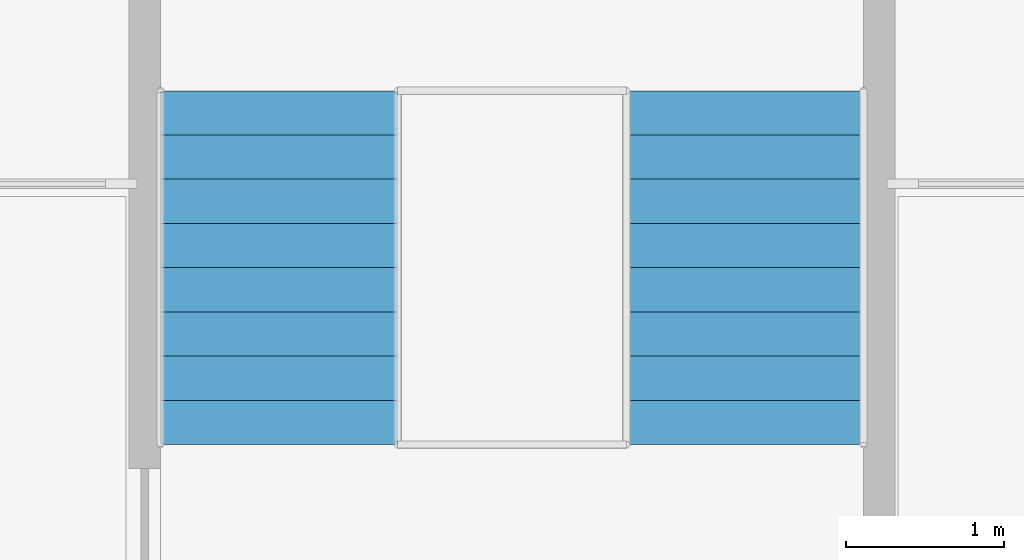
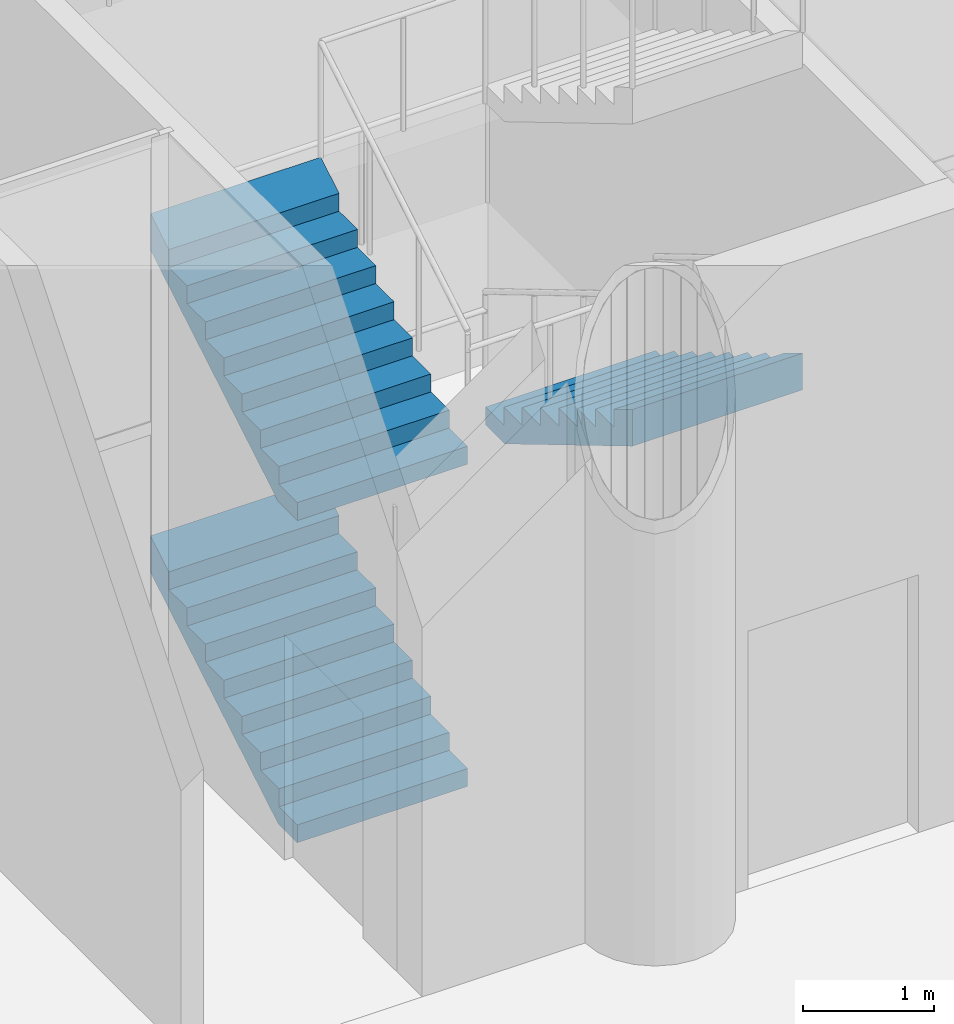
# One storey, part 17 of 32: 3 stair flights, 1 element without a shape of its own.
"""IFC4 building model written with IfcOpenShell, lengths in metres."""

from ifc_helpers import new_model, si_unit, direction, frame, origin, place, context, subcontext, project, spatial, triangles, material, type_object, element, aggregate, save


model = new_model("IFC4")

# Units and contexts
model_context = context("Model", 3, precision=1e-05, world=origin(), true_north=direction((0.0, 1.0)))
body_context = subcontext(model_context, "Body", "Model", "MODEL_VIEW")
ifc_project = project(units=[si_unit("LENGTHUNIT", "METRE"), si_unit("AREAUNIT", "SQUARE_METRE"), si_unit("VOLUMEUNIT", "CUBIC_METRE"), si_unit("PLANEANGLEUNIT", "RADIAN"), si_unit("MASSUNIT", "GRAM", prefix="KILO")], contexts=[model_context])

# Site, building, storey
site_placement = place(None, origin())
site = spatial("IfcSite", under=ifc_project, at=site_placement, CompositionType="ELEMENT")
building_placement = place(site_placement, origin())
building = spatial("IfcBuilding", under=site, at=building_placement, Name="Ludao Terraces", CompositionType="ELEMENT")
storey_placement = place(building_placement, origin())
storey = spatial("IfcBuildingStorey", under=building, at=storey_placement, Name="L00", CompositionType="ELEMENT", Elevation=0.0)

# Stair, stair flights
ifc_material = material(Name="Concrete C40", Category="concrete")
stair_type = type_object("IfcStairType", Name="INT Stair", PredefinedType="HALF_TURN_STAIR", material=ifc_material)
stair_placement = place(storey_placement, origin())
stair = element("IfcStair", 1, at=stair_placement, inside=storey, type_object=stair_type, Name="EXIT STAIR 4", PredefinedType="HALF_TURN_STAIR")
stair_flight_type = type_object("IfcStairFlightType", Name="INT Stair flight", PredefinedType="STRAIGHT", material=ifc_material)
stair_flight_1_placement = place(storey_placement, frame((60.5, 28.25, 0.0), z_axis=(0.0, 0.0, 1.0), x_axis=(0.0, 1.0, 0.0)))
stair_flight_1 = element("IfcStairFlight", 2, at=stair_flight_1_placement, type_object=stair_flight_type, Name="ST4 flight 1", NumberOfRisers=9, NumberOfTreads=8, PredefinedType="STRAIGHT", RiserHeight=0.166667, TreadLength=0.28, context=body_context, shape_type="Tessellation", body=[
    triangles([(0.0, -0.75, 0.0), (0.0, -0.5, 0.0), (0.0, -0.25, 0.0), (0.0, 0.0, 0.0), (0.0, 0.25, 0.0), (0.0, 0.5, 0.0), (0.0, 0.75, 0.0), (0.0, -0.75, 0.166748046875), (0.0, -0.5, 0.166748046875), (0.0, -0.25, 0.166748046875), (0.0, 0.0, 0.166748046875), (0.0, 0.25, 0.166748046875), (0.0, 0.5, 0.166748046875), (0.0, 0.75, 0.166748046875), (0.280029296875, -0.75, 0.166748046875), (0.280029296875, -0.5, 0.166748046875), (0.280029296875, -0.25, 0.166748046875), (0.280029296875, 0.0, 0.166748046875), (0.280029296875, 0.25, 0.166748046875), (0.280029296875, 0.5, 0.166748046875), (0.280029296875, 0.75, 0.166748046875), (0.280029296875, -0.75, 0.333251953125), (0.280029296875, -0.5, 0.333251953125), (0.280029296875, -0.25, 0.333251953125), (0.280029296875, 0.0, 0.333251953125), (0.280029296875, 0.25, 0.333251953125), (0.280029296875, 0.5, 0.333251953125), (0.280029296875, 0.75, 0.333251953125), (0.56005859375, -0.75, 0.333251953125), (0.56005859375, -0.5, 0.333251953125), (0.56005859375, -0.25, 0.333251953125), (0.56005859375, 0.0, 0.333251953125), (0.56005859375, 0.25, 0.333251953125), (0.56005859375, 0.5, 0.333251953125), (0.56005859375, 0.75, 0.333251953125), (0.56005859375, -0.75, 0.5), (0.56005859375, -0.5, 0.5), (0.56005859375, -0.25, 0.5), (0.56005859375, 0.0, 0.5), (0.56005859375, 0.25, 0.5), (0.56005859375, 0.5, 0.5), (0.56005859375, 0.75, 0.5), (0.840087890625, -0.75, 0.5), (0.840087890625, -0.5, 0.5), (0.840087890625, -0.25, 0.5), (0.840087890625, 0.0, 0.5), (0.840087890625, 0.25, 0.5), (0.840087890625, 0.5, 0.5), (0.840087890625, 0.75, 0.5), (0.840087890625, -0.75, 0.666748046875), (0.840087890625, -0.5, 0.666748046875), (0.840087890625, -0.25, 0.666748046875), (0.840087890625, 0.0, 0.666748046875), (0.840087890625, 0.25, 0.666748046875), (0.840087890625, 0.5, 0.666748046875), (0.840087890625, 0.75, 0.666748046875), (1.1201171875, -0.75, 0.666748046875), (1.1201171875, -0.5, 0.666748046875), (1.1201171875, -0.25, 0.666748046875), (1.1201171875, 0.0, 0.666748046875), (1.1201171875, 0.25, 0.666748046875), (1.1201171875, 0.5, 0.666748046875), (1.1201171875, 0.75, 0.666748046875), (1.1201171875, -0.75, 0.833251953125), (1.1201171875, -0.5, 0.833251953125), (1.1201171875, -0.25, 0.833251953125), (1.1201171875, 0.0, 0.833251953125), (1.1201171875, 0.25, 0.833251953125), (1.1201171875, 0.5, 0.833251953125), (1.1201171875, 0.75, 0.833251953125), (1.39990234375, -0.75, 0.833251953125), (1.39990234375, -0.5, 0.833251953125), (1.39990234375, -0.25, 0.833251953125), (1.39990234375, 0.0, 0.833251953125), (1.39990234375, 0.25, 0.833251953125), (1.39990234375, 0.5, 0.833251953125), (1.39990234375, 0.75, 0.833251953125), (1.39990234375, -0.75, 1.0), (1.39990234375, -0.5, 1.0), (1.39990234375, -0.25, 1.0), (1.39990234375, 0.0, 1.0), (1.39990234375, 0.25, 1.0), (1.39990234375, 0.5, 1.0), (1.39990234375, 0.75, 1.0), (1.679931640625, -0.75, 1.0), (1.679931640625, -0.5, 1.0), (1.679931640625, -0.25, 1.0), (1.679931640625, 0.0, 1.0), (1.679931640625, 0.25, 1.0), (1.679931640625, 0.5, 1.0), (1.679931640625, 0.75, 1.0), (1.679931640625, -0.75, 1.166748046875), (1.679931640625, -0.5, 1.166748046875), (1.679931640625, -0.25, 1.166748046875), (1.679931640625, 0.0, 1.166748046875), (1.679931640625, 0.25, 1.166748046875), (1.679931640625, 0.5, 1.166748046875), (1.679931640625, 0.75, 1.166748046875), (1.9599609375, -0.75, 1.166748046875), (1.9599609375, -0.5, 1.166748046875), (1.9599609375, -0.25, 1.166748046875), (1.9599609375, 0.0, 1.166748046875), (1.9599609375, 0.25, 1.166748046875), (1.9599609375, 0.5, 1.166748046875), (1.9599609375, 0.75, 1.166748046875), (1.9599609375, -0.75, 1.333251953125), (1.9599609375, -0.5, 1.333251953125), (1.9599609375, -0.25, 1.333251953125), (1.9599609375, 0.0, 1.333251953125), (1.9599609375, 0.25, 1.333251953125), (1.9599609375, 0.5, 1.333251953125), (1.9599609375, 0.75, 1.333251953125), (2.239990234375, -0.75, 1.5), (2.239990234375, -0.5, 1.5), (2.239990234375, -0.25, 1.5), (2.239990234375, 0.0, 1.5), (2.239990234375, 0.25, 1.5), (2.239990234375, 0.5, 1.5), (2.239990234375, 0.75, 1.5), (2.239990234375, -0.75, 1.158935546875), (2.239990234375, -0.5, 1.158935546875), (2.239990234375, -0.25, 1.158935546875), (2.239990234375, 0.0, 1.158935546875), (2.239990234375, 0.25, 1.158935546875), (2.239990234375, 0.5, 1.158935546875), (2.239990234375, 0.75, 1.158935546875), (0.29296875, -0.75, 0.0), (0.29296875, -0.5, 0.0), (0.29296875, -0.25, 0.0), (0.29296875, 0.0, 0.0), (0.29296875, 0.25, 0.0), (0.29296875, 0.5, 0.0), (0.29296875, 0.75, 0.0)], [[1, 127, 120], [7, 126, 133], [120, 113, 106], [126, 112, 119], [120, 106, 99], [126, 105, 112], [120, 99, 92], [126, 98, 105], [120, 92, 85], [126, 91, 98], [85, 78, 71], [91, 77, 84], [120, 85, 71], [126, 77, 91], [71, 64, 57], [77, 63, 70], [120, 71, 57], [126, 63, 77], [57, 50, 43], [63, 49, 56], [120, 57, 43], [126, 49, 63], [43, 36, 29], [49, 35, 42], [120, 43, 29], [126, 35, 49], [1, 120, 29], [7, 35, 126], [29, 22, 15], [35, 21, 28], [1, 29, 15], [7, 21, 35], [15, 8, 1], [21, 7, 14], [1, 9, 2], [1, 8, 9], [2, 10, 3], [2, 9, 10], [3, 11, 4], [3, 10, 11], [4, 12, 5], [4, 11, 12], [5, 13, 6], [5, 12, 13], [6, 14, 7], [6, 13, 14], [8, 16, 9], [8, 15, 16], [9, 17, 10], [9, 16, 17], [10, 18, 11], [10, 17, 18], [11, 19, 12], [11, 18, 19], [12, 20, 13], [12, 19, 20], [13, 21, 14], [13, 20, 21], [15, 23, 16], [15, 22, 23], [16, 24, 17], [16, 23, 24], [17, 25, 18], [17, 24, 25], [18, 26, 19], [18, 25, 26], [19, 27, 20], [19, 26, 27], [20, 28, 21], [20, 27, 28], [22, 30, 23], [22, 29, 30], [23, 31, 24], [23, 30, 31], [24, 32, 25], [24, 31, 32], [25, 33, 26], [25, 32, 33], [26, 34, 27], [26, 33, 34], [27, 35, 28], [27, 34, 35], [29, 37, 30], [29, 36, 37], [30, 38, 31], [30, 37, 38], [31, 39, 32], [31, 38, 39], [32, 40, 33], [32, 39, 40], [33, 41, 34], [33, 40, 41], [34, 42, 35], [34, 41, 42], [36, 44, 37], [36, 43, 44], [37, 45, 38], [37, 44, 45], [38, 46, 39], [38, 45, 46], [39, 47, 40], [39, 46, 47], [40, 48, 41], [40, 47, 48], [41, 49, 42], [41, 48, 49], [43, 51, 44], [43, 50, 51], [44, 52, 45], [44, 51, 52], [45, 53, 46], [45, 52, 53], [46, 54, 47], [46, 53, 54], [47, 55, 48], [47, 54, 55], [48, 56, 49], [48, 55, 56], [50, 58, 51], [50, 57, 58], [51, 59, 52], [51, 58, 59], [52, 60, 53], [52, 59, 60], [53, 61, 54], [53, 60, 61], [54, 62, 55], [54, 61, 62], [55, 63, 56], [55, 62, 63], [57, 65, 58], [57, 64, 65], [58, 66, 59], [58, 65, 66], [59, 67, 60], [59, 66, 67], [60, 68, 61], [60, 67, 68], [61, 69, 62], [61, 68, 69], [62, 70, 63], [62, 69, 70], [64, 72, 65], [64, 71, 72], [65, 73, 66], [65, 72, 73], [66, 74, 67], [66, 73, 74], [67, 75, 68], [67, 74, 75], [68, 76, 69], [68, 75, 76], [69, 77, 70], [69, 76, 77], [71, 79, 72], [71, 78, 79], [72, 80, 73], [72, 79, 80], [73, 81, 74], [73, 80, 81], [74, 82, 75], [74, 81, 82], [75, 83, 76], [75, 82, 83], [76, 84, 77], [76, 83, 84], [78, 86, 79], [78, 85, 86], [79, 87, 80], [79, 86, 87], [80, 88, 81], [80, 87, 88], [81, 89, 82], [81, 88, 89], [82, 90, 83], [82, 89, 90], [83, 91, 84], [83, 90, 91], [85, 93, 86], [85, 92, 93], [86, 94, 87], [86, 93, 94], [87, 95, 88], [87, 94, 95], [88, 96, 89], [88, 95, 96], [89, 97, 90], [89, 96, 97], [90, 98, 91], [90, 97, 98], [92, 100, 93], [92, 99, 100], [93, 101, 94], [93, 100, 101], [94, 102, 95], [94, 101, 102], [95, 103, 96], [95, 102, 103], [96, 104, 97], [96, 103, 104], [97, 105, 98], [97, 104, 105], [99, 107, 100], [99, 106, 107], [100, 108, 101], [100, 107, 108], [101, 109, 102], [101, 108, 109], [102, 110, 103], [102, 109, 110], [103, 111, 104], [103, 110, 111], [104, 112, 105], [104, 111, 112], [106, 114, 107], [106, 113, 114], [107, 115, 108], [107, 114, 115], [108, 116, 109], [108, 115, 116], [109, 117, 110], [109, 116, 117], [110, 118, 111], [110, 117, 118], [111, 119, 112], [111, 118, 119], [113, 121, 114], [113, 120, 121], [114, 122, 115], [114, 121, 122], [115, 123, 116], [115, 122, 123], [116, 124, 117], [116, 123, 124], [117, 125, 118], [117, 124, 125], [118, 126, 119], [118, 125, 126], [120, 128, 121], [120, 127, 128], [121, 129, 122], [121, 128, 129], [122, 130, 123], [122, 129, 130], [123, 131, 124], [123, 130, 131], [124, 132, 125], [124, 131, 132], [125, 133, 126], [125, 132, 133], [127, 2, 128], [127, 1, 2], [128, 3, 129], [128, 2, 3], [129, 4, 130], [129, 3, 4], [130, 5, 131], [130, 4, 5], [131, 6, 132], [131, 5, 6], [132, 7, 133], [132, 6, 7]], closed=True),
])
stair_flight_2_placement = place(storey_placement, frame((63.449951171875, 30.489990234375, 1.5), z_axis=(0.0, 0.0, 1.0), x_axis=(0.0, -1.0, 0.0)))
stair_flight_2 = element("IfcStairFlight", 3, at=stair_flight_2_placement, type_object=stair_flight_type, Name="ST4 flight 2", NumberOfRisers=9, NumberOfTreads=8, PredefinedType="STRAIGHT", RiserHeight=0.166667, TreadLength=0.28, context=body_context, shape_type="Tessellation", body=[
    triangles([(0.0, -0.75, 0.0), (0.0, -0.5, 0.0), (0.0, -0.25, 0.0), (0.0, 0.0, 0.0), (0.0, 0.25, 0.0), (0.0, 0.5, 0.0), (0.0, 0.75, 0.0), (0.0, -0.75, 0.166748046875), (0.0, -0.5, 0.166748046875), (0.0, -0.25, 0.166748046875), (0.0, 0.0, 0.166748046875), (0.0, 0.25, 0.166748046875), (0.0, 0.5, 0.166748046875), (0.0, 0.75, 0.166748046875), (0.280029296875, -0.75, 0.166748046875), (0.280029296875, -0.5, 0.166748046875), (0.280029296875, -0.25, 0.166748046875), (0.280029296875, 0.0, 0.166748046875), (0.280029296875, 0.25, 0.166748046875), (0.280029296875, 0.5, 0.166748046875), (0.280029296875, 0.75, 0.166748046875), (0.280029296875, -0.75, 0.333251953125), (0.280029296875, -0.5, 0.333251953125), (0.280029296875, -0.25, 0.333251953125), (0.280029296875, 0.0, 0.333251953125), (0.280029296875, 0.25, 0.333251953125), (0.280029296875, 0.5, 0.333251953125), (0.280029296875, 0.75, 0.333251953125), (0.56005859375, -0.75, 0.333251953125), (0.56005859375, -0.5, 0.333251953125), (0.56005859375, -0.25, 0.333251953125), (0.56005859375, 0.0, 0.333251953125), (0.56005859375, 0.25, 0.333251953125), (0.56005859375, 0.5, 0.333251953125), (0.56005859375, 0.75, 0.333251953125), (0.56005859375, -0.75, 0.5), (0.56005859375, -0.5, 0.5), (0.56005859375, -0.25, 0.5), (0.56005859375, 0.0, 0.5), (0.56005859375, 0.25, 0.5), (0.56005859375, 0.5, 0.5), (0.56005859375, 0.75, 0.5), (0.840087890625, -0.75, 0.5), (0.840087890625, -0.5, 0.5), (0.840087890625, -0.25, 0.5), (0.840087890625, 0.0, 0.5), (0.840087890625, 0.25, 0.5), (0.840087890625, 0.5, 0.5), (0.840087890625, 0.75, 0.5), (0.840087890625, -0.75, 0.666748046875), (0.840087890625, -0.5, 0.666748046875), (0.840087890625, -0.25, 0.666748046875), (0.840087890625, 0.0, 0.666748046875), (0.840087890625, 0.25, 0.666748046875), (0.840087890625, 0.5, 0.666748046875), (0.840087890625, 0.75, 0.666748046875), (1.1201171875, -0.75, 0.666748046875), (1.1201171875, -0.5, 0.666748046875), (1.1201171875, -0.25, 0.666748046875), (1.1201171875, 0.0, 0.666748046875), (1.1201171875, 0.25, 0.666748046875), (1.1201171875, 0.5, 0.666748046875), (1.1201171875, 0.75, 0.666748046875), (1.1201171875, -0.75, 0.833251953125), (1.1201171875, -0.5, 0.833251953125), (1.1201171875, -0.25, 0.833251953125), (1.1201171875, 0.0, 0.833251953125), (1.1201171875, 0.25, 0.833251953125), (1.1201171875, 0.5, 0.833251953125), (1.1201171875, 0.75, 0.833251953125), (1.39990234375, -0.75, 0.833251953125), (1.39990234375, -0.5, 0.833251953125), (1.39990234375, -0.25, 0.833251953125), (1.39990234375, 0.0, 0.833251953125), (1.39990234375, 0.25, 0.833251953125), (1.39990234375, 0.5, 0.833251953125), (1.39990234375, 0.75, 0.833251953125), (1.39990234375, -0.75, 1.0), (1.39990234375, -0.5, 1.0), (1.39990234375, -0.25, 1.0), (1.39990234375, 0.0, 1.0), (1.39990234375, 0.25, 1.0), (1.39990234375, 0.5, 1.0), (1.39990234375, 0.75, 1.0), (1.679931640625, -0.75, 1.0), (1.679931640625, -0.5, 1.0), (1.679931640625, -0.25, 1.0), (1.679931640625, 0.0, 1.0), (1.679931640625, 0.25, 1.0), (1.679931640625, 0.5, 1.0), (1.679931640625, 0.75, 1.0), (1.679931640625, -0.75, 1.166748046875), (1.679931640625, -0.5, 1.166748046875), (1.679931640625, -0.25, 1.166748046875), (1.679931640625, 0.0, 1.166748046875), (1.679931640625, 0.25, 1.166748046875), (1.679931640625, 0.5, 1.166748046875), (1.679931640625, 0.75, 1.166748046875), (1.9599609375, -0.75, 1.166748046875), (1.9599609375, -0.5, 1.166748046875), (1.9599609375, -0.25, 1.166748046875), (1.9599609375, 0.0, 1.166748046875), (1.9599609375, 0.25, 1.166748046875), (1.9599609375, 0.5, 1.166748046875), (1.9599609375, 0.75, 1.166748046875), (1.9599609375, -0.75, 1.333251953125), (1.9599609375, -0.5, 1.333251953125), (1.9599609375, -0.25, 1.333251953125), (1.9599609375, 0.0, 1.333251953125), (1.9599609375, 0.25, 1.333251953125), (1.9599609375, 0.5, 1.333251953125), (1.9599609375, 0.75, 1.333251953125), (2.239990234375, -0.75, 1.5), (2.239990234375, -0.5, 1.5), (2.239990234375, -0.25, 1.5), (2.239990234375, 0.0, 1.5), (2.239990234375, 0.25, 1.5), (2.239990234375, 0.5, 1.5), (2.239990234375, 0.75, 1.5), (2.239990234375, -0.75, 1.158935546875), (2.239990234375, -0.5, 1.158935546875), (2.239990234375, -0.25, 1.158935546875), (2.239990234375, 0.0, 1.158935546875), (2.239990234375, 0.25, 1.158935546875), (2.239990234375, 0.5, 1.158935546875), (2.239990234375, 0.75, 1.158935546875), (0.29296875, -0.75, 0.0), (0.29296875, -0.5, 0.0), (0.29296875, -0.25, 0.0), (0.29296875, 0.0, 0.0), (0.29296875, 0.25, 0.0), (0.29296875, 0.5, 0.0), (0.29296875, 0.75, 0.0)], [[1, 127, 120], [7, 126, 133], [120, 113, 106], [126, 112, 119], [120, 106, 99], [126, 105, 112], [120, 99, 92], [126, 98, 105], [120, 92, 85], [126, 91, 98], [85, 78, 71], [91, 77, 84], [120, 85, 71], [126, 77, 91], [71, 64, 57], [77, 63, 70], [120, 71, 57], [126, 63, 77], [57, 50, 43], [63, 49, 56], [120, 57, 43], [126, 49, 63], [43, 36, 29], [49, 35, 42], [120, 43, 29], [126, 35, 49], [1, 120, 29], [7, 35, 126], [29, 22, 15], [35, 21, 28], [1, 29, 15], [7, 21, 35], [15, 8, 1], [21, 7, 14], [1, 9, 2], [1, 8, 9], [2, 10, 3], [2, 9, 10], [3, 11, 4], [3, 10, 11], [4, 12, 5], [4, 11, 12], [5, 13, 6], [5, 12, 13], [6, 14, 7], [6, 13, 14], [8, 16, 9], [8, 15, 16], [9, 17, 10], [9, 16, 17], [10, 18, 11], [10, 17, 18], [11, 19, 12], [11, 18, 19], [12, 20, 13], [12, 19, 20], [13, 21, 14], [13, 20, 21], [15, 23, 16], [15, 22, 23], [16, 24, 17], [16, 23, 24], [17, 25, 18], [17, 24, 25], [18, 26, 19], [18, 25, 26], [19, 27, 20], [19, 26, 27], [20, 28, 21], [20, 27, 28], [22, 30, 23], [22, 29, 30], [23, 31, 24], [23, 30, 31], [24, 32, 25], [24, 31, 32], [25, 33, 26], [25, 32, 33], [26, 34, 27], [26, 33, 34], [27, 35, 28], [27, 34, 35], [29, 37, 30], [29, 36, 37], [30, 38, 31], [30, 37, 38], [31, 39, 32], [31, 38, 39], [32, 40, 33], [32, 39, 40], [33, 41, 34], [33, 40, 41], [34, 42, 35], [34, 41, 42], [36, 44, 37], [36, 43, 44], [37, 45, 38], [37, 44, 45], [38, 46, 39], [38, 45, 46], [39, 47, 40], [39, 46, 47], [40, 48, 41], [40, 47, 48], [41, 49, 42], [41, 48, 49], [43, 51, 44], [43, 50, 51], [44, 52, 45], [44, 51, 52], [45, 53, 46], [45, 52, 53], [46, 54, 47], [46, 53, 54], [47, 55, 48], [47, 54, 55], [48, 56, 49], [48, 55, 56], [50, 58, 51], [50, 57, 58], [51, 59, 52], [51, 58, 59], [52, 60, 53], [52, 59, 60], [53, 61, 54], [53, 60, 61], [54, 62, 55], [54, 61, 62], [55, 63, 56], [55, 62, 63], [57, 65, 58], [57, 64, 65], [58, 66, 59], [58, 65, 66], [59, 67, 60], [59, 66, 67], [60, 68, 61], [60, 67, 68], [61, 69, 62], [61, 68, 69], [62, 70, 63], [62, 69, 70], [64, 72, 65], [64, 71, 72], [65, 73, 66], [65, 72, 73], [66, 74, 67], [66, 73, 74], [67, 75, 68], [67, 74, 75], [68, 76, 69], [68, 75, 76], [69, 77, 70], [69, 76, 77], [71, 79, 72], [71, 78, 79], [72, 80, 73], [72, 79, 80], [73, 81, 74], [73, 80, 81], [74, 82, 75], [74, 81, 82], [75, 83, 76], [75, 82, 83], [76, 84, 77], [76, 83, 84], [78, 86, 79], [78, 85, 86], [79, 87, 80], [79, 86, 87], [80, 88, 81], [80, 87, 88], [81, 89, 82], [81, 88, 89], [82, 90, 83], [82, 89, 90], [83, 91, 84], [83, 90, 91], [85, 93, 86], [85, 92, 93], [86, 94, 87], [86, 93, 94], [87, 95, 88], [87, 94, 95], [88, 96, 89], [88, 95, 96], [89, 97, 90], [89, 96, 97], [90, 98, 91], [90, 97, 98], [92, 100, 93], [92, 99, 100], [93, 101, 94], [93, 100, 101], [94, 102, 95], [94, 101, 102], [95, 103, 96], [95, 102, 103], [96, 104, 97], [96, 103, 104], [97, 105, 98], [97, 104, 105], [99, 107, 100], [99, 106, 107], [100, 108, 101], [100, 107, 108], [101, 109, 102], [101, 108, 109], [102, 110, 103], [102, 109, 110], [103, 111, 104], [103, 110, 111], [104, 112, 105], [104, 111, 112], [106, 114, 107], [106, 113, 114], [107, 115, 108], [107, 114, 115], [108, 116, 109], [108, 115, 116], [109, 117, 110], [109, 116, 117], [110, 118, 111], [110, 117, 118], [111, 119, 112], [111, 118, 119], [113, 121, 114], [113, 120, 121], [114, 122, 115], [114, 121, 122], [115, 123, 116], [115, 122, 123], [116, 124, 117], [116, 123, 124], [117, 125, 118], [117, 124, 125], [118, 126, 119], [118, 125, 126], [120, 128, 121], [120, 127, 128], [121, 129, 122], [121, 128, 129], [122, 130, 123], [122, 129, 130], [123, 131, 124], [123, 130, 131], [124, 132, 125], [124, 131, 132], [125, 133, 126], [125, 132, 133], [127, 2, 128], [127, 1, 2], [128, 3, 129], [128, 2, 3], [129, 4, 130], [129, 3, 4], [130, 5, 131], [130, 4, 5], [131, 6, 132], [131, 5, 6], [132, 7, 133], [132, 6, 7]], closed=True),
])
stair_flight_3_placement = place(storey_placement, frame((60.5, 28.25, 3.0), z_axis=(0.0, 0.0, 1.0), x_axis=(0.0, 1.0, 0.0)))
stair_flight_3 = element("IfcStairFlight", 4, at=stair_flight_3_placement, type_object=stair_flight_type, Name="ST4 flight 3", NumberOfRisers=9, NumberOfTreads=8, PredefinedType="STRAIGHT", RiserHeight=0.166667, TreadLength=0.28, context=body_context, shape_type="Tessellation", body=[
    triangles([(0.0, -0.75, 0.0), (0.0, -0.5, 0.0), (0.0, -0.25, 0.0), (0.0, 0.0, 0.0), (0.0, 0.25, 0.0), (0.0, 0.5, 0.0), (0.0, 0.75, 0.0), (0.0, -0.75, 0.166748046875), (0.0, -0.5, 0.166748046875), (0.0, -0.25, 0.166748046875), (0.0, 0.0, 0.166748046875), (0.0, 0.25, 0.166748046875), (0.0, 0.5, 0.166748046875), (0.0, 0.75, 0.166748046875), (0.280029296875, -0.75, 0.166748046875), (0.280029296875, -0.5, 0.166748046875), (0.280029296875, -0.25, 0.166748046875), (0.280029296875, 0.0, 0.166748046875), (0.280029296875, 0.25, 0.166748046875), (0.280029296875, 0.5, 0.166748046875), (0.280029296875, 0.75, 0.166748046875), (0.280029296875, -0.75, 0.333251953125), (0.280029296875, -0.5, 0.333251953125), (0.280029296875, -0.25, 0.333251953125), (0.280029296875, 0.0, 0.333251953125), (0.280029296875, 0.25, 0.333251953125), (0.280029296875, 0.5, 0.333251953125), (0.280029296875, 0.75, 0.333251953125), (0.56005859375, -0.75, 0.333251953125), (0.56005859375, -0.5, 0.333251953125), (0.56005859375, -0.25, 0.333251953125), (0.56005859375, 0.0, 0.333251953125), (0.56005859375, 0.25, 0.333251953125), (0.56005859375, 0.5, 0.333251953125), (0.56005859375, 0.75, 0.333251953125), (0.56005859375, -0.75, 0.5), (0.56005859375, -0.5, 0.5), (0.56005859375, -0.25, 0.5), (0.56005859375, 0.0, 0.5), (0.56005859375, 0.25, 0.5), (0.56005859375, 0.5, 0.5), (0.56005859375, 0.75, 0.5), (0.840087890625, -0.75, 0.5), (0.840087890625, -0.5, 0.5), (0.840087890625, -0.25, 0.5), (0.840087890625, 0.0, 0.5), (0.840087890625, 0.25, 0.5), (0.840087890625, 0.5, 0.5), (0.840087890625, 0.75, 0.5), (0.840087890625, -0.75, 0.666748046875), (0.840087890625, -0.5, 0.666748046875), (0.840087890625, -0.25, 0.666748046875), (0.840087890625, 0.0, 0.666748046875), (0.840087890625, 0.25, 0.666748046875), (0.840087890625, 0.5, 0.666748046875), (0.840087890625, 0.75, 0.666748046875), (1.1201171875, -0.75, 0.666748046875), (1.1201171875, -0.5, 0.666748046875), (1.1201171875, -0.25, 0.666748046875), (1.1201171875, 0.0, 0.666748046875), (1.1201171875, 0.25, 0.666748046875), (1.1201171875, 0.5, 0.666748046875), (1.1201171875, 0.75, 0.666748046875), (1.1201171875, -0.75, 0.833251953125), (1.1201171875, -0.5, 0.833251953125), (1.1201171875, -0.25, 0.833251953125), (1.1201171875, 0.0, 0.833251953125), (1.1201171875, 0.25, 0.833251953125), (1.1201171875, 0.5, 0.833251953125), (1.1201171875, 0.75, 0.833251953125), (1.39990234375, -0.75, 0.833251953125), (1.39990234375, -0.5, 0.833251953125), (1.39990234375, -0.25, 0.833251953125), (1.39990234375, 0.0, 0.833251953125), (1.39990234375, 0.25, 0.833251953125), (1.39990234375, 0.5, 0.833251953125), (1.39990234375, 0.75, 0.833251953125), (1.39990234375, -0.75, 1.0), (1.39990234375, -0.5, 1.0), (1.39990234375, -0.25, 1.0), (1.39990234375, 0.0, 1.0), (1.39990234375, 0.25, 1.0), (1.39990234375, 0.5, 1.0), (1.39990234375, 0.75, 1.0), (1.679931640625, -0.75, 1.0), (1.679931640625, -0.5, 1.0), (1.679931640625, -0.25, 1.0), (1.679931640625, 0.0, 1.0), (1.679931640625, 0.25, 1.0), (1.679931640625, 0.5, 1.0), (1.679931640625, 0.75, 1.0), (1.679931640625, -0.75, 1.166748046875), (1.679931640625, -0.5, 1.166748046875), (1.679931640625, -0.25, 1.166748046875), (1.679931640625, 0.0, 1.166748046875), (1.679931640625, 0.25, 1.166748046875), (1.679931640625, 0.5, 1.166748046875), (1.679931640625, 0.75, 1.166748046875), (1.9599609375, -0.75, 1.166748046875), (1.9599609375, -0.5, 1.166748046875), (1.9599609375, -0.25, 1.166748046875), (1.9599609375, 0.0, 1.166748046875), (1.9599609375, 0.25, 1.166748046875), (1.9599609375, 0.5, 1.166748046875), (1.9599609375, 0.75, 1.166748046875), (1.9599609375, -0.75, 1.333251953125), (1.9599609375, -0.5, 1.333251953125), (1.9599609375, -0.25, 1.333251953125), (1.9599609375, 0.0, 1.333251953125), (1.9599609375, 0.25, 1.333251953125), (1.9599609375, 0.5, 1.333251953125), (1.9599609375, 0.75, 1.333251953125), (2.239990234375, -0.75, 1.5), (2.239990234375, -0.5, 1.5), (2.239990234375, -0.25, 1.5), (2.239990234375, 0.0, 1.5), (2.239990234375, 0.25, 1.5), (2.239990234375, 0.5, 1.5), (2.239990234375, 0.75, 1.5), (2.239990234375, -0.75, 1.158935546875), (2.239990234375, -0.5, 1.158935546875), (2.239990234375, -0.25, 1.158935546875), (2.239990234375, 0.0, 1.158935546875), (2.239990234375, 0.25, 1.158935546875), (2.239990234375, 0.5, 1.158935546875), (2.239990234375, 0.75, 1.158935546875), (0.29296875, -0.75, 0.0), (0.29296875, -0.5, 0.0), (0.29296875, -0.25, 0.0), (0.29296875, 0.0, 0.0), (0.29296875, 0.25, 0.0), (0.29296875, 0.5, 0.0), (0.29296875, 0.75, 0.0)], [[1, 127, 120], [7, 126, 133], [120, 113, 106], [126, 112, 119], [120, 106, 99], [126, 105, 112], [120, 99, 92], [126, 98, 105], [120, 92, 85], [126, 91, 98], [85, 78, 71], [91, 77, 84], [120, 85, 71], [126, 77, 91], [71, 64, 57], [77, 63, 70], [120, 71, 57], [126, 63, 77], [57, 50, 43], [63, 49, 56], [120, 57, 43], [126, 49, 63], [43, 36, 29], [49, 35, 42], [120, 43, 29], [126, 35, 49], [1, 120, 29], [7, 35, 126], [29, 22, 15], [35, 21, 28], [1, 29, 15], [7, 21, 35], [15, 8, 1], [21, 7, 14], [1, 9, 2], [1, 8, 9], [2, 10, 3], [2, 9, 10], [3, 11, 4], [3, 10, 11], [4, 12, 5], [4, 11, 12], [5, 13, 6], [5, 12, 13], [6, 14, 7], [6, 13, 14], [8, 16, 9], [8, 15, 16], [9, 17, 10], [9, 16, 17], [10, 18, 11], [10, 17, 18], [11, 19, 12], [11, 18, 19], [12, 20, 13], [12, 19, 20], [13, 21, 14], [13, 20, 21], [15, 23, 16], [15, 22, 23], [16, 24, 17], [16, 23, 24], [17, 25, 18], [17, 24, 25], [18, 26, 19], [18, 25, 26], [19, 27, 20], [19, 26, 27], [20, 28, 21], [20, 27, 28], [22, 30, 23], [22, 29, 30], [23, 31, 24], [23, 30, 31], [24, 32, 25], [24, 31, 32], [25, 33, 26], [25, 32, 33], [26, 34, 27], [26, 33, 34], [27, 35, 28], [27, 34, 35], [29, 37, 30], [29, 36, 37], [30, 38, 31], [30, 37, 38], [31, 39, 32], [31, 38, 39], [32, 40, 33], [32, 39, 40], [33, 41, 34], [33, 40, 41], [34, 42, 35], [34, 41, 42], [36, 44, 37], [36, 43, 44], [37, 45, 38], [37, 44, 45], [38, 46, 39], [38, 45, 46], [39, 47, 40], [39, 46, 47], [40, 48, 41], [40, 47, 48], [41, 49, 42], [41, 48, 49], [43, 51, 44], [43, 50, 51], [44, 52, 45], [44, 51, 52], [45, 53, 46], [45, 52, 53], [46, 54, 47], [46, 53, 54], [47, 55, 48], [47, 54, 55], [48, 56, 49], [48, 55, 56], [50, 58, 51], [50, 57, 58], [51, 59, 52], [51, 58, 59], [52, 60, 53], [52, 59, 60], [53, 61, 54], [53, 60, 61], [54, 62, 55], [54, 61, 62], [55, 63, 56], [55, 62, 63], [57, 65, 58], [57, 64, 65], [58, 66, 59], [58, 65, 66], [59, 67, 60], [59, 66, 67], [60, 68, 61], [60, 67, 68], [61, 69, 62], [61, 68, 69], [62, 70, 63], [62, 69, 70], [64, 72, 65], [64, 71, 72], [65, 73, 66], [65, 72, 73], [66, 74, 67], [66, 73, 74], [67, 75, 68], [67, 74, 75], [68, 76, 69], [68, 75, 76], [69, 77, 70], [69, 76, 77], [71, 79, 72], [71, 78, 79], [72, 80, 73], [72, 79, 80], [73, 81, 74], [73, 80, 81], [74, 82, 75], [74, 81, 82], [75, 83, 76], [75, 82, 83], [76, 84, 77], [76, 83, 84], [78, 86, 79], [78, 85, 86], [79, 87, 80], [79, 86, 87], [80, 88, 81], [80, 87, 88], [81, 89, 82], [81, 88, 89], [82, 90, 83], [82, 89, 90], [83, 91, 84], [83, 90, 91], [85, 93, 86], [85, 92, 93], [86, 94, 87], [86, 93, 94], [87, 95, 88], [87, 94, 95], [88, 96, 89], [88, 95, 96], [89, 97, 90], [89, 96, 97], [90, 98, 91], [90, 97, 98], [92, 100, 93], [92, 99, 100], [93, 101, 94], [93, 100, 101], [94, 102, 95], [94, 101, 102], [95, 103, 96], [95, 102, 103], [96, 104, 97], [96, 103, 104], [97, 105, 98], [97, 104, 105], [99, 107, 100], [99, 106, 107], [100, 108, 101], [100, 107, 108], [101, 109, 102], [101, 108, 109], [102, 110, 103], [102, 109, 110], [103, 111, 104], [103, 110, 111], [104, 112, 105], [104, 111, 112], [106, 114, 107], [106, 113, 114], [107, 115, 108], [107, 114, 115], [108, 116, 109], [108, 115, 116], [109, 117, 110], [109, 116, 117], [110, 118, 111], [110, 117, 118], [111, 119, 112], [111, 118, 119], [113, 121, 114], [113, 120, 121], [114, 122, 115], [114, 121, 122], [115, 123, 116], [115, 122, 123], [116, 124, 117], [116, 123, 124], [117, 125, 118], [117, 124, 125], [118, 126, 119], [118, 125, 126], [120, 128, 121], [120, 127, 128], [121, 129, 122], [121, 128, 129], [122, 130, 123], [122, 129, 130], [123, 131, 124], [123, 130, 131], [124, 132, 125], [124, 131, 132], [125, 133, 126], [125, 132, 133], [127, 2, 128], [127, 1, 2], [128, 3, 129], [128, 2, 3], [129, 4, 130], [129, 3, 4], [130, 5, 131], [130, 4, 5], [131, 6, 132], [131, 5, 6], [132, 7, 133], [132, 6, 7]], closed=True),
])
aggregate(stair, [stair_flight_1, stair_flight_2, stair_flight_3])

save(model, "model.ifc")
